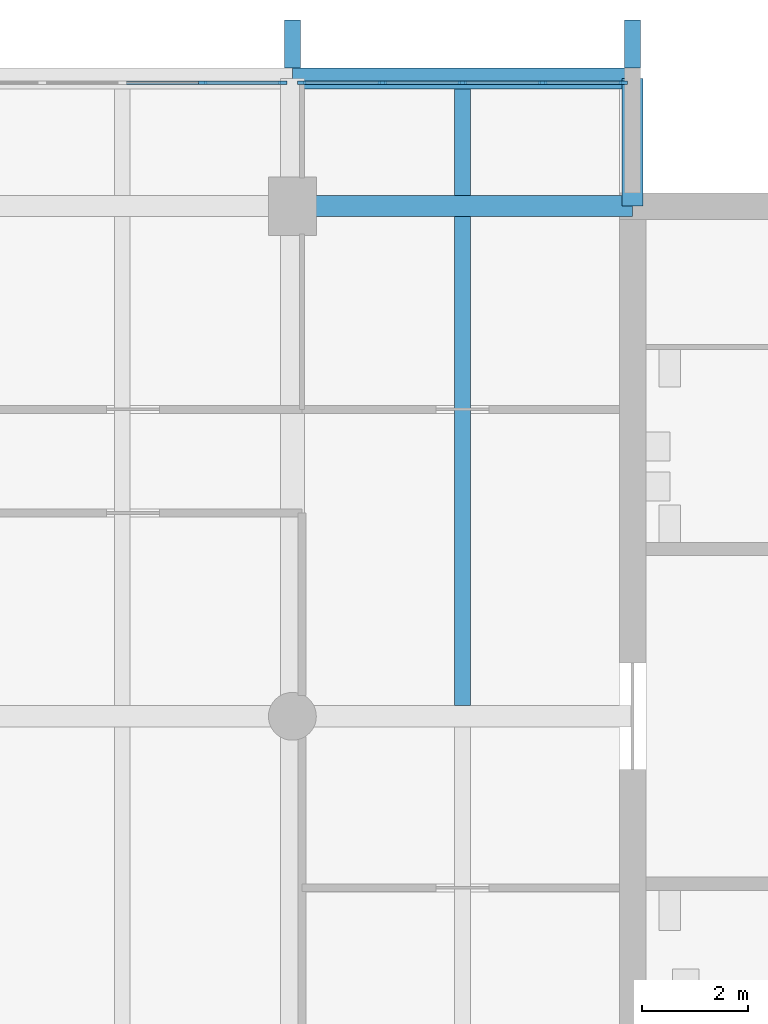
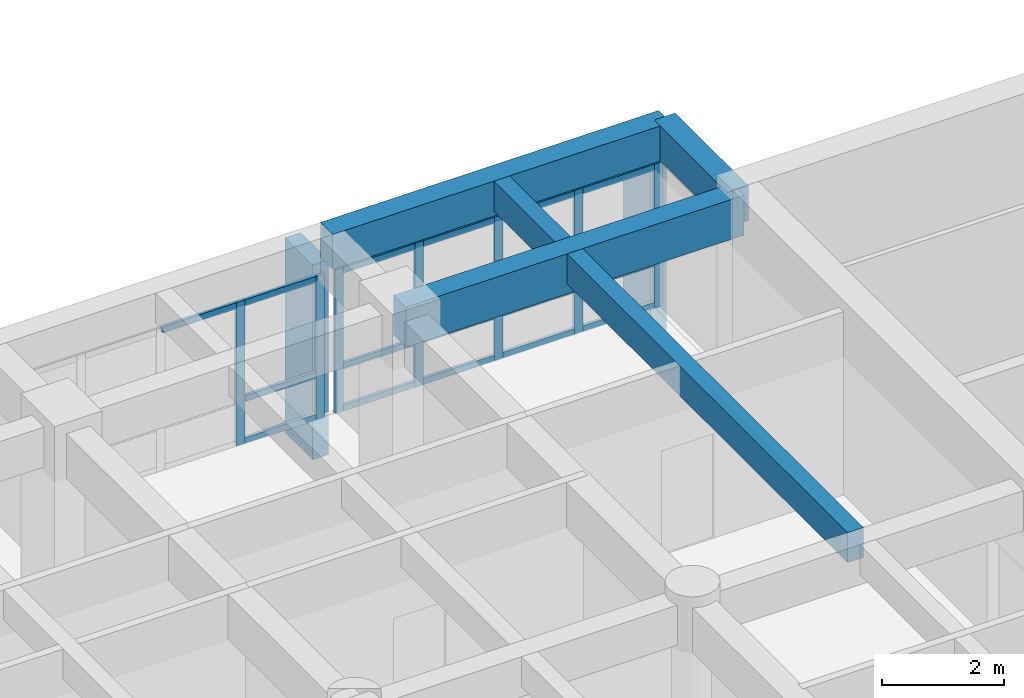
# One storey, part 6 of 15: 25 members, 5 beams, 2 elements without a shape of their own.
"""IFC4 building model written with IfcOpenShell, lengths in metres."""

from ifc_helpers import new_model, si_unit, direction, frame, origin, origin_2d, place, context, subcontext, project, spatial, rectangle, extrude, material, layer, layer_set, material_profile, profile_set, type_object, element, aggregate, save


model = new_model("IFC4")

# Units and contexts
model_context = context("Model", 3, precision=1e-05, world=origin(), true_north=direction((0.0, 1.0)))
body_context = subcontext(model_context, "Body", "Model", "MODEL_VIEW")
ifc_project = project(units=[si_unit("LENGTHUNIT", "METRE"), si_unit("AREAUNIT", "SQUARE_METRE"), si_unit("VOLUMEUNIT", "CUBIC_METRE"), si_unit("PLANEANGLEUNIT", "RADIAN"), si_unit("MASSUNIT", "GRAM", prefix="KILO")], contexts=[model_context])

# Site, building, storey
site_placement = place(None, origin())
site = spatial("IfcSite", under=ifc_project, at=site_placement, CompositionType="ELEMENT")
building_placement = place(site_placement, origin())
building = spatial("IfcBuilding", under=site, at=building_placement, Name="Fogon Plaza Fire Station and Headquarters Tower", CompositionType="ELEMENT")
storey_placement = place(building_placement, frame((0.0, 0.0, 44.39990234375)))
storey = spatial("IfcBuildingStorey", under=building, at=storey_placement, Name="L11", CompositionType="ELEMENT", Elevation=44.39990234375)

# Beams
ifc_material_1 = material(Name="Concrete C40", Category="concrete")
ifc_material_profile_1 = material_profile(ifc_material_1, rectangle(XDim=0.39990234375, YDim=0.699951171875, at=origin_2d()), Name="RC 400x700")
ifc_profile_set_1 = profile_set([ifc_material_profile_1], Name="Concrete C40")
beam_type_1 = type_object("IfcBeamType", Name="BEAM RC 400x700", PredefinedType="BEAM", material=ifc_profile_set_1)
beam_1_placement = place(storey_placement, frame((57.60009765625, 55.199951171875, 3.330078125), z_axis=(1.0, 0.0, 0.0), x_axis=(0.0, 1.0, 0.0)))
element("IfcBeam", 1, at=beam_1_placement, inside=storey, type_object=beam_type_1, Name="beam-L11-050", PredefinedType="BEAM", context=body_context, shape_type="SweptSolid", body=[
    extrude(rectangle(XDim=0.39990234375, YDim=0.699951171875, at=origin_2d()), origin(), (0.0, 0.0, 1.0), 6.39990234375),
])
ifc_material_2 = material(Name="Concrete C40", Category="concrete")
ifc_material_profile_2 = material_profile(ifc_material_2, rectangle(XDim=0.39990234375, YDim=0.699951171875, at=origin_2d()), Name="RC 400x700")
ifc_profile_set_2 = profile_set([ifc_material_profile_2], Name="Concrete C40")
beam_type_2 = type_object("IfcBeamType", Name="BEAM RC 400x700 SPAN 0.0 TO 3.0 M", PredefinedType="BEAM", material=ifc_profile_set_2)
beam_2_placement = place(storey_placement, frame((64.0, 52.800048828125, 3.330078125), z_axis=(0.0, 1.0, 0.0), x_axis=(-1.0, 0.0, 0.0)))
element("IfcBeam", 2, at=beam_2_placement, inside=storey, type_object=beam_type_2, Name="beam-L11-054", PredefinedType="BEAM", context=body_context, shape_type="SweptSolid", body=[
    extrude(rectangle(XDim=0.39990234375, YDim=0.699951171875, at=origin_2d()), origin(), (0.0, 0.0, 1.0), 2.39990234375),
])
ifc_material_3 = material(Name="Concrete C40", Category="concrete")
ifc_material_profile_3 = material_profile(ifc_material_3, rectangle(XDim=0.39990234375, YDim=0.800048828125, at=origin_2d()), Name="RC 400x800")
ifc_profile_set_3 = profile_set([ifc_material_profile_3], Name="Concrete C40")
beam_type_3 = type_object("IfcBeamType", Name="BEAM RC 400x800", PredefinedType="BEAM", material=ifc_profile_set_3)
beam_3_placement = place(storey_placement, frame((57.60009765625, 52.800048828125, 3.280029296875), z_axis=(1.0, 0.0, 0.0), x_axis=(0.0, 1.0, 0.0)))
element("IfcBeam", 3, at=beam_3_placement, inside=storey, type_object=beam_type_3, Name="beam-L11-038", PredefinedType="BEAM", context=body_context, shape_type="SweptSolid", body=[
    extrude(rectangle(XDim=0.39990234375, YDim=0.800048828125, at=origin_2d()), origin(), (0.0, 0.0, 1.0), 6.39990234375),
])

# Curtain wall, members
ifc_material_4 = material(Name="Aluminium and glass", Category="aluminium")
ifc_layer = layer(ifc_material_4, 0.14990234375)
ifc_layer_set = layer_set([ifc_layer], Name="Aluminium and glass")
curtain_wall_type = type_object("IfcCurtainWallType", Name="Unitised Curtain Wall Run 6100x2880", PredefinedType="NOTDEFINED", material=ifc_layer_set)
curtain_wall_1_placement = place(storey_placement, origin())
curtain_wall_1 = element("IfcCurtainWall", 4, at=curtain_wall_1_placement, inside=storey, type_object=curtain_wall_type, Name="CW-6100x2880 N5 L11", PredefinedType="NOTDEFINED")
ifc_material_5 = material(Name="Aluminium", Category="aluminium")
ifc_material_profile_4 = material_profile(ifc_material_5, rectangle(XDim=0.06005859375, YDim=0.159912109375, at=origin_2d()), Name="Curtain Wall Mullion 60x160")
ifc_profile_set_4 = profile_set([ifc_material_profile_4], Name="Aluminium")
member_type_1 = type_object("IfcMemberType", Name="Curtain Wall Mullion 60x160", PredefinedType="MULLION", material=ifc_profile_set_4)
member_1_placement = place(storey_placement, frame((55.909912109375, 55.1201171875, 0.0), z_axis=(0.0, 0.0, 1.0), x_axis=(0.0, 1.0, 0.0)))
member_1 = element("IfcMember", 5, at=member_1_placement, type_object=member_type_1, Name="CW-6100x2880 mullion 4", PredefinedType="MULLION", context=body_context, shape_type="SweptSolid", body=[
    extrude(rectangle(XDim=0.06005859375, YDim=0.159912109375, at=origin_2d()), origin(), (0.0, 0.0, 1.0), 2.880126953125),
])
member_2_placement = place(storey_placement, frame((57.419921875, 55.1201171875, 0.0), z_axis=(0.0, 0.0, 1.0), x_axis=(0.0, 1.0, 0.0)))
member_2 = element("IfcMember", 6, at=member_2_placement, type_object=member_type_1, Name="CW-6100x2880 mullion 5", PredefinedType="MULLION", context=body_context, shape_type="SweptSolid", body=[
    extrude(rectangle(XDim=0.06005859375, YDim=0.159912109375, at=origin_2d()), origin(), (0.0, 0.0, 1.0), 2.880126953125),
])

curtain_wall_2_placement = place(storey_placement, origin())
curtain_wall_2 = element("IfcCurtainWall", 7, at=curtain_wall_2_placement, inside=storey, type_object=curtain_wall_type, Name="CW-6100x2880 N6 L11", PredefinedType="NOTDEFINED")
member_3_placement = place(storey_placement, frame((57.780029296875, 55.1201171875, 0.0), z_axis=(0.0, 0.0, 1.0), x_axis=(0.0, 1.0, 0.0)))
member_3 = element("IfcMember", 8, at=member_3_placement, type_object=member_type_1, Name="CW-6100x2880 mullion 1", PredefinedType="MULLION", context=body_context, shape_type="SweptSolid", body=[
    extrude(rectangle(XDim=0.06005859375, YDim=0.159912109375, at=origin_2d()), origin(), (0.0, 0.0, 1.0), 2.880126953125),
])
member_4_placement = place(storey_placement, frame((59.2900390625, 55.1201171875, 0.0), z_axis=(0.0, 0.0, 1.0), x_axis=(0.0, 1.0, 0.0)))
member_4 = element("IfcMember", 9, at=member_4_placement, type_object=member_type_1, Name="CW-6100x2880 mullion 2", PredefinedType="MULLION", context=body_context, shape_type="SweptSolid", body=[
    extrude(rectangle(XDim=0.06005859375, YDim=0.159912109375, at=origin_2d()), origin(), (0.0, 0.0, 1.0), 2.880126953125),
])
member_5_placement = place(storey_placement, frame((60.800048828125, 55.1201171875, 0.0), z_axis=(0.0, 0.0, 1.0), x_axis=(0.0, 1.0, 0.0)))
member_5 = element("IfcMember", 10, at=member_5_placement, type_object=member_type_1, Name="CW-6100x2880 mullion 3", PredefinedType="MULLION", context=body_context, shape_type="SweptSolid", body=[
    extrude(rectangle(XDim=0.06005859375, YDim=0.159912109375, at=origin_2d()), origin(), (0.0, 0.0, 1.0), 2.880126953125),
])
member_6_placement = place(storey_placement, frame((62.31005859375, 55.1201171875, 0.0), z_axis=(0.0, 0.0, 1.0), x_axis=(0.0, 1.0, 0.0)))
member_6 = element("IfcMember", 11, at=member_6_placement, type_object=member_type_1, Name="CW-6100x2880 mullion 4", PredefinedType="MULLION", context=body_context, shape_type="SweptSolid", body=[
    extrude(rectangle(XDim=0.06005859375, YDim=0.159912109375, at=origin_2d()), origin(), (0.0, 0.0, 1.0), 2.880126953125),
])
member_7_placement = place(storey_placement, frame((63.820068359375, 55.1201171875, 0.0), z_axis=(0.0, 0.0, 1.0), x_axis=(0.0, 1.0, 0.0)))
member_7 = element("IfcMember", 12, at=member_7_placement, type_object=member_type_1, Name="CW-6100x2880 mullion 5", PredefinedType="MULLION", context=body_context, shape_type="SweptSolid", body=[
    extrude(rectangle(XDim=0.06005859375, YDim=0.159912109375, at=origin_2d()), origin(), (0.0, 0.0, 1.0), 2.880126953125),
])

# Member
ifc_material_6 = material(Name="Aluminium", Category="aluminium")
ifc_material_profile_5 = material_profile(ifc_material_6, rectangle(XDim=0.06005859375, YDim=0.1201171875, at=origin_2d()), Name="Curtain Wall Transom 60x120")
ifc_profile_set_5 = profile_set([ifc_material_profile_5], Name="Aluminium")
member_type_2 = type_object("IfcMemberType", Name="Curtain Wall Transom 60x120", PredefinedType="USERDEFINED", material=ifc_profile_set_5)
member_8_placement = place(storey_placement, frame((54.429931640625, 55.1201171875, 2.820068359375), z_axis=(1.0, 0.0, 0.0), x_axis=(0.0, 1.0, 0.0)))
member_8 = element("IfcMember", 13, at=member_8_placement, type_object=member_type_2, Name="CW-6100x2880 transom 3.3", ObjectType="TRANSOM", PredefinedType="USERDEFINED", context=body_context, shape_type="SweptSolid", body=[
    extrude(rectangle(XDim=0.06005859375, YDim=0.1201171875, at=origin_2d()), origin(), (0.0, 0.0, 1.0), 1.449951171875),
])

member_9_placement = place(storey_placement, frame((55.93994140625, 55.1201171875, 0.06005859375), z_axis=(1.0, 0.0, 0.0), x_axis=(0.0, 1.0, 0.0)))
member_9 = element("IfcMember", 14, at=member_9_placement, type_object=member_type_2, Name="CW-6100x2880 transom 4.1", ObjectType="TRANSOM", PredefinedType="USERDEFINED", context=body_context, shape_type="SweptSolid", body=[
    extrude(rectangle(XDim=0.06005859375, YDim=0.1201171875, at=origin_2d()), origin(), (0.0, 0.0, 1.0), 1.449951171875),
])

member_10_placement = place(storey_placement, frame((55.93994140625, 55.1201171875, 0.900146484375), z_axis=(1.0, 0.0, 0.0), x_axis=(0.0, 1.0, 0.0)))
member_10 = element("IfcMember", 15, at=member_10_placement, type_object=member_type_2, Name="CW-6100x2880 transom 4.2", ObjectType="TRANSOM", PredefinedType="USERDEFINED", context=body_context, shape_type="SweptSolid", body=[
    extrude(rectangle(XDim=0.06005859375, YDim=0.1201171875, at=origin_2d()), origin(), (0.0, 0.0, 1.0), 1.449951171875),
])

member_11_placement = place(storey_placement, frame((55.93994140625, 55.1201171875, 2.820068359375), z_axis=(1.0, 0.0, 0.0), x_axis=(0.0, 1.0, 0.0)))
member_11 = element("IfcMember", 16, at=member_11_placement, type_object=member_type_2, Name="CW-6100x2880 transom 4.3", ObjectType="TRANSOM", PredefinedType="USERDEFINED", context=body_context, shape_type="SweptSolid", body=[
    extrude(rectangle(XDim=0.06005859375, YDim=0.1201171875, at=origin_2d()), origin(), (0.0, 0.0, 1.0), 1.449951171875),
])

aggregate(curtain_wall_1, [member_1, member_2, member_8, member_9, member_10, member_11])

member_12_placement = place(storey_placement, frame((57.81005859375, 55.1201171875, 0.06005859375), z_axis=(1.0, 0.0, 0.0), x_axis=(0.0, 1.0, 0.0)))
member_12 = element("IfcMember", 17, at=member_12_placement, type_object=member_type_2, Name="CW-6100x2880 transom 1.1", ObjectType="TRANSOM", PredefinedType="USERDEFINED", context=body_context, shape_type="SweptSolid", body=[
    extrude(rectangle(XDim=0.06005859375, YDim=0.1201171875, at=origin_2d()), origin(), (0.0, 0.0, 1.0), 1.449951171875),
])

member_13_placement = place(storey_placement, frame((57.81005859375, 55.1201171875, 0.900146484375), z_axis=(1.0, 0.0, 0.0), x_axis=(0.0, 1.0, 0.0)))
member_13 = element("IfcMember", 18, at=member_13_placement, type_object=member_type_2, Name="CW-6100x2880 transom 1.2", ObjectType="TRANSOM", PredefinedType="USERDEFINED", context=body_context, shape_type="SweptSolid", body=[
    extrude(rectangle(XDim=0.06005859375, YDim=0.1201171875, at=origin_2d()), origin(), (0.0, 0.0, 1.0), 1.449951171875),
])

member_14_placement = place(storey_placement, frame((57.81005859375, 55.1201171875, 2.820068359375), z_axis=(1.0, 0.0, 0.0), x_axis=(0.0, 1.0, 0.0)))
member_14 = element("IfcMember", 19, at=member_14_placement, type_object=member_type_2, Name="CW-6100x2880 transom 1.3", ObjectType="TRANSOM", PredefinedType="USERDEFINED", context=body_context, shape_type="SweptSolid", body=[
    extrude(rectangle(XDim=0.06005859375, YDim=0.1201171875, at=origin_2d()), origin(), (0.0, 0.0, 1.0), 1.449951171875),
])

member_15_placement = place(storey_placement, frame((59.320068359375, 55.1201171875, 0.06005859375), z_axis=(1.0, 0.0, 0.0), x_axis=(0.0, 1.0, 0.0)))
member_15 = element("IfcMember", 20, at=member_15_placement, type_object=member_type_2, Name="CW-6100x2880 transom 2.1", ObjectType="TRANSOM", PredefinedType="USERDEFINED", context=body_context, shape_type="SweptSolid", body=[
    extrude(rectangle(XDim=0.06005859375, YDim=0.1201171875, at=origin_2d()), origin(), (0.0, 0.0, 1.0), 1.449951171875),
])

member_16_placement = place(storey_placement, frame((59.320068359375, 55.1201171875, 0.900146484375), z_axis=(1.0, 0.0, 0.0), x_axis=(0.0, 1.0, 0.0)))
member_16 = element("IfcMember", 21, at=member_16_placement, type_object=member_type_2, Name="CW-6100x2880 transom 2.2", ObjectType="TRANSOM", PredefinedType="USERDEFINED", context=body_context, shape_type="SweptSolid", body=[
    extrude(rectangle(XDim=0.06005859375, YDim=0.1201171875, at=origin_2d()), origin(), (0.0, 0.0, 1.0), 1.449951171875),
])

member_17_placement = place(storey_placement, frame((59.320068359375, 55.1201171875, 2.820068359375), z_axis=(1.0, 0.0, 0.0), x_axis=(0.0, 1.0, 0.0)))
member_17 = element("IfcMember", 22, at=member_17_placement, type_object=member_type_2, Name="CW-6100x2880 transom 2.3", ObjectType="TRANSOM", PredefinedType="USERDEFINED", context=body_context, shape_type="SweptSolid", body=[
    extrude(rectangle(XDim=0.06005859375, YDim=0.1201171875, at=origin_2d()), origin(), (0.0, 0.0, 1.0), 1.449951171875),
])

member_18_placement = place(storey_placement, frame((60.830078125, 55.1201171875, 0.06005859375), z_axis=(1.0, 0.0, 0.0), x_axis=(0.0, 1.0, 0.0)))
member_18 = element("IfcMember", 23, at=member_18_placement, type_object=member_type_2, Name="CW-6100x2880 transom 3.1", ObjectType="TRANSOM", PredefinedType="USERDEFINED", context=body_context, shape_type="SweptSolid", body=[
    extrude(rectangle(XDim=0.06005859375, YDim=0.1201171875, at=origin_2d()), origin(), (0.0, 0.0, 1.0), 1.449951171875),
])

member_19_placement = place(storey_placement, frame((60.830078125, 55.1201171875, 0.900146484375), z_axis=(1.0, 0.0, 0.0), x_axis=(0.0, 1.0, 0.0)))
member_19 = element("IfcMember", 24, at=member_19_placement, type_object=member_type_2, Name="CW-6100x2880 transom 3.2", ObjectType="TRANSOM", PredefinedType="USERDEFINED", context=body_context, shape_type="SweptSolid", body=[
    extrude(rectangle(XDim=0.06005859375, YDim=0.1201171875, at=origin_2d()), origin(), (0.0, 0.0, 1.0), 1.449951171875),
])

member_20_placement = place(storey_placement, frame((60.830078125, 55.1201171875, 2.820068359375), z_axis=(1.0, 0.0, 0.0), x_axis=(0.0, 1.0, 0.0)))
member_20 = element("IfcMember", 25, at=member_20_placement, type_object=member_type_2, Name="CW-6100x2880 transom 3.3", ObjectType="TRANSOM", PredefinedType="USERDEFINED", context=body_context, shape_type="SweptSolid", body=[
    extrude(rectangle(XDim=0.06005859375, YDim=0.1201171875, at=origin_2d()), origin(), (0.0, 0.0, 1.0), 1.449951171875),
])

member_21_placement = place(storey_placement, frame((62.340087890625, 55.1201171875, 0.06005859375), z_axis=(1.0, 0.0, 0.0), x_axis=(0.0, 1.0, 0.0)))
member_21 = element("IfcMember", 26, at=member_21_placement, type_object=member_type_2, Name="CW-6100x2880 transom 4.1", ObjectType="TRANSOM", PredefinedType="USERDEFINED", context=body_context, shape_type="SweptSolid", body=[
    extrude(rectangle(XDim=0.06005859375, YDim=0.1201171875, at=origin_2d()), origin(), (0.0, 0.0, 1.0), 1.449951171875),
])

member_22_placement = place(storey_placement, frame((62.340087890625, 55.1201171875, 0.900146484375), z_axis=(1.0, 0.0, 0.0), x_axis=(0.0, 1.0, 0.0)))
member_22 = element("IfcMember", 27, at=member_22_placement, type_object=member_type_2, Name="CW-6100x2880 transom 4.2", ObjectType="TRANSOM", PredefinedType="USERDEFINED", context=body_context, shape_type="SweptSolid", body=[
    extrude(rectangle(XDim=0.06005859375, YDim=0.1201171875, at=origin_2d()), origin(), (0.0, 0.0, 1.0), 1.449951171875),
])

member_23_placement = place(storey_placement, frame((62.340087890625, 55.1201171875, 2.820068359375), z_axis=(1.0, 0.0, 0.0), x_axis=(0.0, 1.0, 0.0)))
member_23 = element("IfcMember", 28, at=member_23_placement, type_object=member_type_2, Name="CW-6100x2880 transom 4.3", ObjectType="TRANSOM", PredefinedType="USERDEFINED", context=body_context, shape_type="SweptSolid", body=[
    extrude(rectangle(XDim=0.06005859375, YDim=0.1201171875, at=origin_2d()), origin(), (0.0, 0.0, 1.0), 1.449951171875),
])

aggregate(curtain_wall_2, [member_3, member_4, member_5, member_6, member_7, member_12, member_13, member_14, member_15, member_16, member_17, member_18, member_19, member_20, member_21, member_22, member_23])

# Beams
ifc_material_7 = material(Name="Concrete C40", Category="concrete")
ifc_material_profile_6 = material_profile(ifc_material_7, rectangle(XDim=0.300048828125, YDim=0.60009765625, at=origin_2d()), Name="RC 300x600")
ifc_profile_set_6 = profile_set([ifc_material_profile_6], Name="Concrete C40")
beam_type_4 = type_object("IfcBeamType", Name="JOIST RC 300x600", PredefinedType="JOIST", material=ifc_profile_set_6)
beam_4_placement = place(storey_placement, frame((60.800048828125, 43.39990234375, 3.380126953125), z_axis=(0.0, 1.0, 0.0), x_axis=(-1.0, 0.0, 0.0)))
element("IfcBeam", 29, at=beam_4_placement, inside=storey, type_object=beam_type_4, Name="beam-L11-077", PredefinedType="JOIST", context=body_context, shape_type="SweptSolid", body=[
    extrude(rectangle(XDim=0.300048828125, YDim=0.60009765625, at=origin_2d()), origin(), (0.0, 0.0, 1.0), 9.2001953125),
])
ifc_material_8 = material(Name="Concrete C40", Category="concrete")
ifc_material_profile_7 = material_profile(ifc_material_8, rectangle(XDim=0.300048828125, YDim=0.60009765625, at=origin_2d()), Name="RC 300x600")
ifc_profile_set_7 = profile_set([ifc_material_profile_7], Name="Concrete C40")
beam_type_5 = type_object("IfcBeamType", Name="JOIST RC 300x600 SPAN 0.0 TO 3.0 M", PredefinedType="JOIST", material=ifc_profile_set_7)
beam_5_placement = place(storey_placement, frame((60.800048828125, 53.0, 3.380126953125), z_axis=(0.0, 1.0, 0.0), x_axis=(-1.0, 0.0, 0.0)))
element("IfcBeam", 30, at=beam_5_placement, inside=storey, type_object=beam_type_5, Name="beam-L11-078", PredefinedType="JOIST", context=body_context, shape_type="SweptSolid", body=[
    extrude(rectangle(XDim=0.300048828125, YDim=0.60009765625, at=origin_2d()), origin(), (0.0, 0.0, 1.0), 2.0),
])

# Members
ifc_material_9 = material(Name="Concrete C40 precast", Category="concrete")
ifc_material_profile_8 = material_profile(ifc_material_9, rectangle(XDim=0.300048828125, YDim=0.89990234375, at=origin_2d()), Name="Precast Concrete Post 300x900")
ifc_profile_set_8 = profile_set([ifc_material_profile_8], Name="Concrete C40 precast")
member_type_3 = type_object("IfcMemberType", Name="Precast Concrete Post 300x900", PredefinedType="POST", material=ifc_profile_set_8)
for number, where, z_axis, x_axis, name in (
    (31, (57.60009765625, 55.85009765625, -1.02001953125), (0.0, 0.0, 1.0), (1.0, 0.0, 0.0), "Precast Post N L11"),
    (32, (64.0, 55.85009765625, -1.02001953125), (0.0, 0.0, 1.0), (1.0, 0.0, 0.0), "Precast Post N L11"),
):
    element("IfcMember", number, at=place(storey_placement, frame(where, z_axis=z_axis, x_axis=x_axis)), inside=storey, type_object=member_type_3, Name=name, PredefinedType="POST", context=body_context, shape_type="SweptSolid", body=[
        extrude(rectangle(XDim=0.300048828125, YDim=0.89990234375, at=origin_2d()), origin(), (0.0, 0.0, 1.0), 3.900146484375),
    ])

save(model, "model.ifc")
